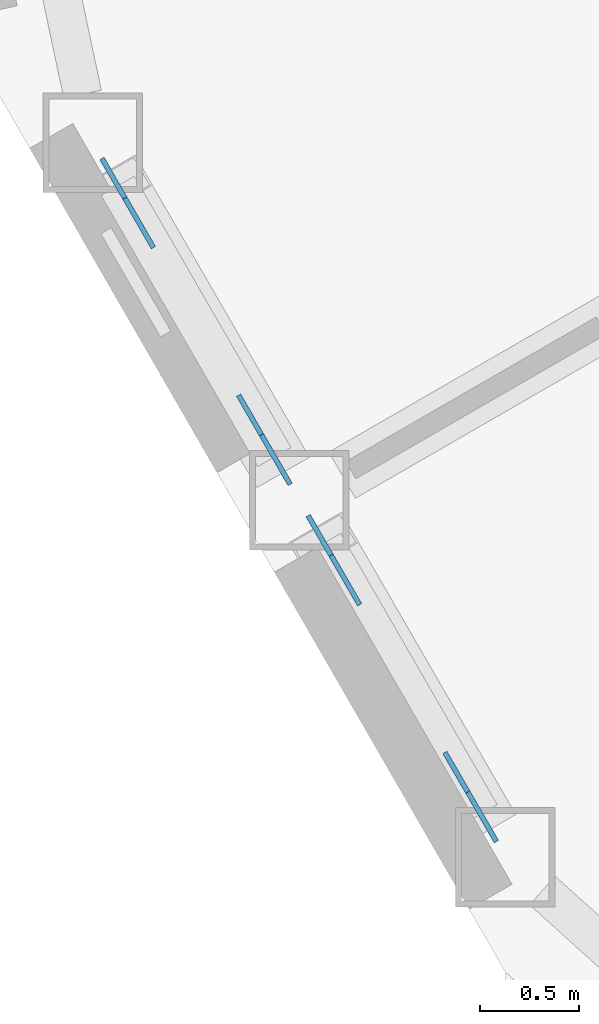
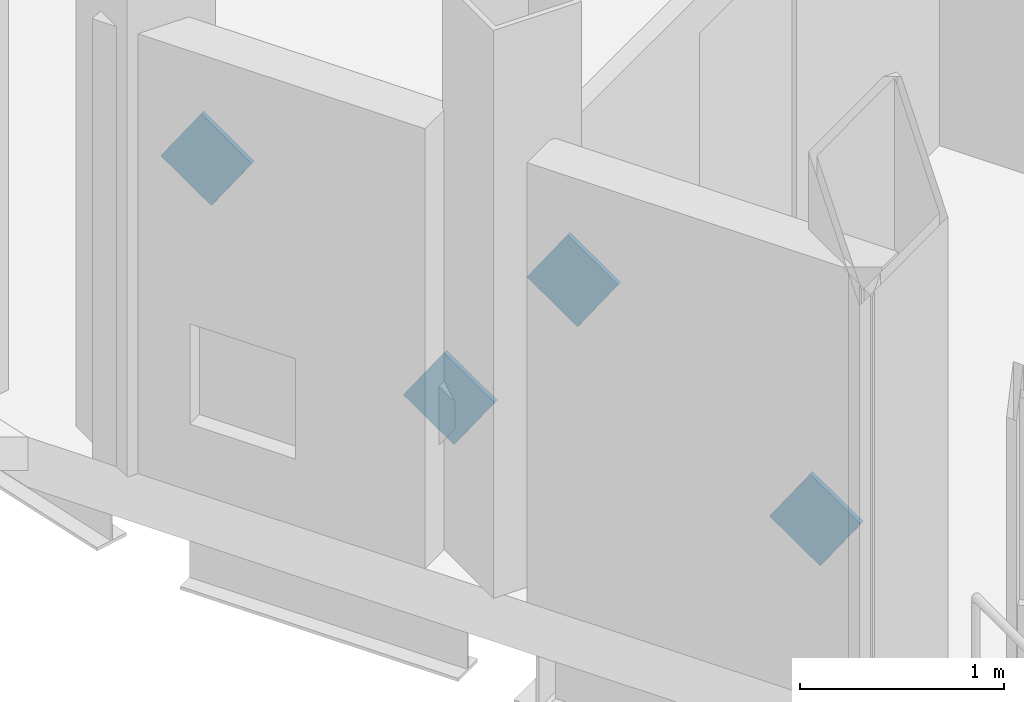
# One storey, part 19 of 26: 4 discrete accessories.
"""IFC4 building model written with IfcOpenShell, lengths in metres."""

from ifc_helpers import new_model, si_unit, direction, frame, origin, origin_2d, place, context, subcontext, project, spatial, rectangle, extrude, material, material_profile, profile_set, type_object, element, save


model = new_model("IFC4")

# Units and contexts
model_context = context("Model", 3, precision=1e-05, world=origin(), true_north=direction((0.0, 1.0)))
body_context = subcontext(model_context, "Body", "Model", "MODEL_VIEW")
ifc_project = project(units=[si_unit("LENGTHUNIT", "METRE"), si_unit("AREAUNIT", "SQUARE_METRE"), si_unit("VOLUMEUNIT", "CUBIC_METRE"), si_unit("PLANEANGLEUNIT", "RADIAN"), si_unit("MASSUNIT", "GRAM", prefix="KILO")], contexts=[model_context])

# Site, building, storey
site_placement = place(None, origin())
site = spatial("IfcSite", under=ifc_project, at=site_placement, CompositionType="ELEMENT")
building_placement = place(site_placement, origin())
building = spatial("IfcBuilding", under=site, at=building_placement, Name="Cormorant Prow Tower", CompositionType="ELEMENT")
storey_placement = place(building_placement, frame((0.0, 0.0, 374.60009765625)))
storey = spatial("IfcBuildingStorey", under=building, at=storey_placement, Name="L84", CompositionType="ELEMENT", Elevation=374.60009765625)

# Discrete accessories
ifc_material = material(Name="Structural steel ASTM A500 Gr C", Category="steel")
ifc_material_profile = material_profile(ifc_material, rectangle(XDim=0.02490234375, YDim=0.405029296875, at=origin_2d()), Name="Gusset plate 25x405")
ifc_profile_set = profile_set([ifc_material_profile], Name="Structural steel ASTM A500 Gr C")
discrete_accessory_type = type_object("IfcDiscreteAccessoryType", Name="Gusset plate 25x405", PredefinedType="BRACKET", material=ifc_profile_set)
for number, where, z_axis, x_axis, name in (
    (1, (-27.28369140625, -15.182373046875, 0.941162109375), (0.411595697368, -0.712269842394, -0.568560158228), (0.865832418869, 0.500334110806, 0.0), "Gusset plate GP3 L84.WSW00.g0"),
    (2, (-27.8271484375, -14.2412109375, 1.692626953125), (-0.411016012482, 0.712474276306, 0.568723344945), (-0.866199709737, -0.499697971631, 0.0), "Gusset plate GP3 L84.WSW00.g1"),
    (3, (-26.246826171875, -16.978271484375, 0.941162109375), (0.411595697368, -0.712269842394, -0.568560158228), (0.865832418869, 0.500334110806, 0.0), "Gusset plate GP3 L84.WSW01.g0"),
    (4, (-26.7900390625, -16.037109375, 1.692626953125), (-0.411595697368, 0.712269842394, 0.568560158228), (-0.865832418869, -0.500334110806, 0.0), "Gusset plate GP3 L84.WSW01.g1"),
):
    element("IfcDiscreteAccessory", number, at=place(storey_placement, frame(where, z_axis=z_axis, x_axis=x_axis)), inside=storey, type_object=discrete_accessory_type, Name=name, PredefinedType="BRACKET", context=body_context, shape_type="SweptSolid", body=[
        extrude(rectangle(XDim=0.02490234375, YDim=0.405029296875, at=origin_2d()), origin(), (0.0, 0.0, 1.0), 0.349853515625),
    ])

save(model, "model.ifc")
